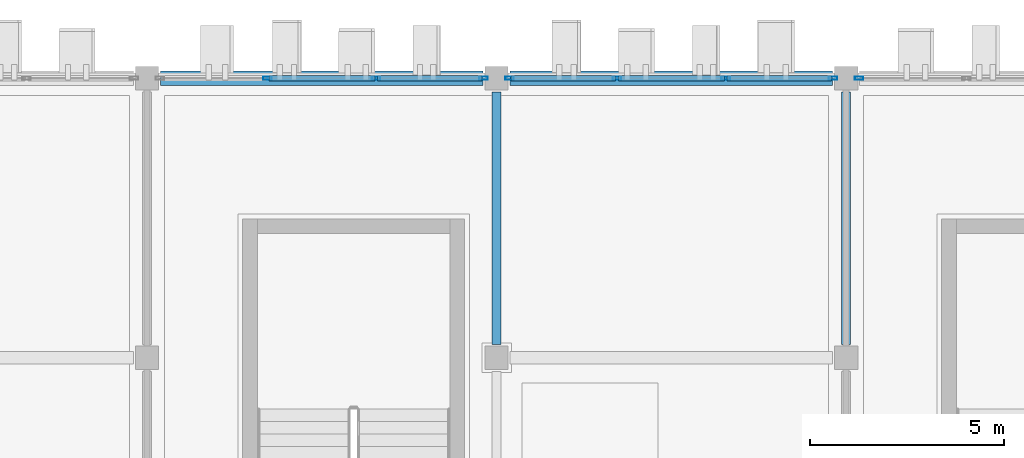
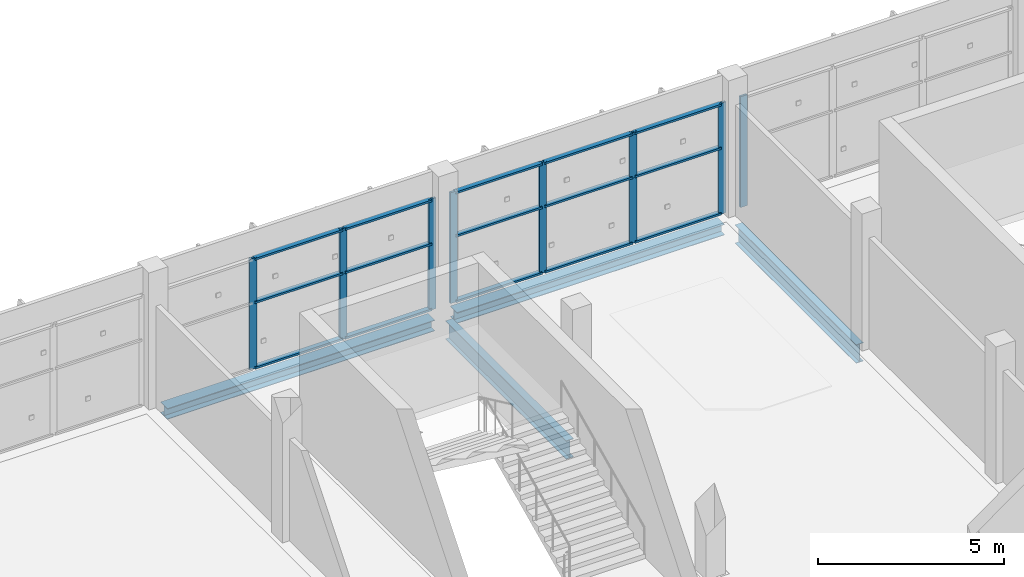
# One storey, part 68 of 124: 23 members, 4 beams, 3 elements without a shape of their own.
"""IFC4 building model written with IfcOpenShell, lengths in metres."""

from ifc_helpers import new_model, si_unit, direction, frame, origin, origin_2d, place, context, subcontext, project, spatial, hollow_rectangle, i_section, extrude, material, layer, layer_set, material_profile, profile_set, type_object, element, aggregate, save


model = new_model("IFC4")

# Units and contexts
model_context = context("Model", 3, precision=1e-05, world=origin(), true_north=direction((0.0, 1.0)))
body_context = subcontext(model_context, "Body", "Model", "MODEL_VIEW")
ifc_project = project(units=[si_unit("LENGTHUNIT", "METRE"), si_unit("AREAUNIT", "SQUARE_METRE"), si_unit("VOLUMEUNIT", "CUBIC_METRE"), si_unit("PLANEANGLEUNIT", "RADIAN"), si_unit("MASSUNIT", "GRAM", prefix="KILO")], contexts=[model_context])

# Site, building, storey
site_placement = place(None, origin())
site = spatial("IfcSite", under=ifc_project, at=site_placement, CompositionType="ELEMENT")
building_placement = place(site_placement, origin())
building = spatial("IfcBuilding", under=site, at=building_placement, Name="Celestram Park Convention Centre", CompositionType="ELEMENT")
storey_placement = place(building_placement, frame((0.0, 0.0, 15.300048828125)))
storey = spatial("IfcBuildingStorey", under=building, at=storey_placement, Name="L03", CompositionType="ELEMENT", Elevation=15.300048828125)

# Curtain wall, members
ifc_material_1 = material(Name="Anodised Aluminium Alloy 6063-T6", Category="aluminium")
ifc_layer = layer(ifc_material_1, 0.179931640625)
ifc_layer_set = layer_set([ifc_layer], Name="Anodised Aluminium Alloy 6063-T6")
curtain_wall_type = type_object("IfcCurtainWallType", Name="ARC-CW-840X364", PredefinedType="NOTDEFINED", material=ifc_layer_set)
curtain_wall_1_placement = place(storey_placement, origin())
curtain_wall_1 = element("IfcCurtainWall", 1, at=curtain_wall_1_placement, inside=storey, type_object=curtain_wall_type, Name="Unitised curtain wall CU-L03-206", PredefinedType="NOTDEFINED")
ifc_material_profile_1 = material_profile(ifc_material_1, hollow_rectangle(XDim=0.074951171875, YDim=0.219970703125, WallThickness=0.00390625, at=origin_2d()), Name="ALU75X220X4")
ifc_profile_set_1 = profile_set([ifc_material_profile_1], Name="Anodised Aluminium Alloy 6063-T6")
member_type_1 = type_object("IfcMemberType", Name="ARC-CWM-180", PredefinedType="MULLION", material=ifc_profile_set_1)
member_1_placement = place(storey_placement, frame((66.099365234375, 165.60009765625, 0.0), z_axis=(0.0, 0.0, 1.0), x_axis=(0.0, 1.0, 0.0)))
member_1 = element("IfcMember", 2, at=member_1_placement, type_object=member_type_1, Name="CW-84X36 mullion 2", PredefinedType="MULLION", context=body_context, shape_type="SweptSolid", body=[
    extrude(hollow_rectangle(XDim=0.074951171875, YDim=0.219970703125, WallThickness=0.00390625, at=origin_2d()), origin(), (0.0, 0.0, 1.0), 3.637939453125),
])
member_2_placement = place(storey_placement, frame((68.900634765625, 165.60009765625, 0.0), z_axis=(0.0, 0.0, 1.0), x_axis=(0.0, 1.0, 0.0)))
member_2 = element("IfcMember", 3, at=member_2_placement, type_object=member_type_1, Name="CW-84X36 mullion 3", PredefinedType="MULLION", context=body_context, shape_type="SweptSolid", body=[
    extrude(hollow_rectangle(XDim=0.074951171875, YDim=0.219970703125, WallThickness=0.00390625, at=origin_2d()), origin(), (0.0, 0.0, 1.0), 3.637939453125),
])
member_3_placement = place(storey_placement, frame((71.66455078125, 165.60009765625, 0.0), z_axis=(0.0, 0.0, 1.0), x_axis=(0.0, 1.0, 0.0)))
member_3 = element("IfcMember", 4, at=member_3_placement, type_object=member_type_1, Name="CW-84X36 mullion 4", PredefinedType="MULLION", context=body_context, shape_type="SweptSolid", body=[
    extrude(hollow_rectangle(XDim=0.074951171875, YDim=0.219970703125, WallThickness=0.00390625, at=origin_2d()), origin(), (0.0, 0.0, 1.0), 3.637939453125),
])

curtain_wall_2_placement = place(storey_placement, origin())
curtain_wall_2 = element("IfcCurtainWall", 5, at=curtain_wall_2_placement, inside=storey, type_object=curtain_wall_type, Name="Unitised curtain wall CU-L03-207", PredefinedType="NOTDEFINED")
member_4_placement = place(storey_placement, frame((72.33544921875, 165.60009765625, 0.0), z_axis=(0.0, 0.0, 1.0), x_axis=(0.0, 1.0, 0.0)))
member_4 = element("IfcMember", 6, at=member_4_placement, type_object=member_type_1, Name="CW-84X36 mullion 1", PredefinedType="MULLION", context=body_context, shape_type="SweptSolid", body=[
    extrude(hollow_rectangle(XDim=0.074951171875, YDim=0.219970703125, WallThickness=0.00390625, at=origin_2d()), origin(), (0.0, 0.0, 1.0), 3.637939453125),
])
member_5_placement = place(storey_placement, frame((75.099365234375, 165.60009765625, 0.0), z_axis=(0.0, 0.0, 1.0), x_axis=(0.0, 1.0, 0.0)))
member_5 = element("IfcMember", 7, at=member_5_placement, type_object=member_type_1, Name="CW-84X36 mullion 2", PredefinedType="MULLION", context=body_context, shape_type="SweptSolid", body=[
    extrude(hollow_rectangle(XDim=0.074951171875, YDim=0.219970703125, WallThickness=0.00390625, at=origin_2d()), origin(), (0.0, 0.0, 1.0), 3.637939453125),
])
member_6_placement = place(storey_placement, frame((77.900634765625, 165.60009765625, 0.0), z_axis=(0.0, 0.0, 1.0), x_axis=(0.0, 1.0, 0.0)))
member_6 = element("IfcMember", 8, at=member_6_placement, type_object=member_type_1, Name="CW-84X36 mullion 3", PredefinedType="MULLION", context=body_context, shape_type="SweptSolid", body=[
    extrude(hollow_rectangle(XDim=0.074951171875, YDim=0.219970703125, WallThickness=0.00390625, at=origin_2d()), origin(), (0.0, 0.0, 1.0), 3.637939453125),
])
member_7_placement = place(storey_placement, frame((80.66455078125, 165.60009765625, 0.0), z_axis=(0.0, 0.0, 1.0), x_axis=(0.0, 1.0, 0.0)))
member_7 = element("IfcMember", 9, at=member_7_placement, type_object=member_type_1, Name="CW-84X36 mullion 4", PredefinedType="MULLION", context=body_context, shape_type="SweptSolid", body=[
    extrude(hollow_rectangle(XDim=0.074951171875, YDim=0.219970703125, WallThickness=0.00390625, at=origin_2d()), origin(), (0.0, 0.0, 1.0), 3.637939453125),
])

# Curtain wall, member
curtain_wall_3_placement = place(storey_placement, origin())
curtain_wall_3 = element("IfcCurtainWall", 10, at=curtain_wall_3_placement, inside=storey, type_object=curtain_wall_type, Name="Unitised curtain wall CU-L03-208", PredefinedType="NOTDEFINED")
member_8_placement = place(storey_placement, frame((81.33544921875, 165.60009765625, 0.0), z_axis=(0.0, 0.0, 1.0), x_axis=(0.0, 1.0, 0.0)))
member_8 = element("IfcMember", 11, at=member_8_placement, type_object=member_type_1, Name="CW-84X36 mullion 1", PredefinedType="MULLION", context=body_context, shape_type="SweptSolid", body=[
    extrude(hollow_rectangle(XDim=0.074951171875, YDim=0.219970703125, WallThickness=0.00390625, at=origin_2d()), origin(), (0.0, 0.0, 1.0), 3.637939453125),
])
aggregate(curtain_wall_3, [member_8])

# Member
ifc_material_profile_2 = material_profile(ifc_material_1, hollow_rectangle(XDim=0.14990234375, YDim=0.06494140625, WallThickness=0.0029296875, at=origin_2d()), Name="ALU150X65X3")
ifc_profile_set_2 = profile_set([ifc_material_profile_2], Name="Anodised Aluminium Alloy 6063-T6")
member_type_2 = type_object("IfcMemberType", Name="ARC-CWT-150", PredefinedType="USERDEFINED", material=ifc_profile_set_2)
member_9_placement = place(storey_placement, frame((66.13671875, 165.60009765625, 0.032470703125), z_axis=(1.0, 0.0, 0.0), x_axis=(0.0, 1.0, 0.0)))
member_9 = element("IfcMember", 12, at=member_9_placement, type_object=member_type_2, Name="CW-84X36 transom 2.1", ObjectType="TRANSOM", PredefinedType="USERDEFINED", context=body_context, shape_type="SweptSolid", body=[
    extrude(hollow_rectangle(XDim=0.14990234375, YDim=0.06494140625, WallThickness=0.0029296875, at=origin_2d()), origin(), (0.0, 0.0, 1.0), 2.7265625),
])

member_10_placement = place(storey_placement, frame((66.13671875, 165.60009765625, 2.182861328125), z_axis=(1.0, 0.0, 0.0), x_axis=(0.0, 1.0, 0.0)))
member_10 = element("IfcMember", 13, at=member_10_placement, type_object=member_type_2, Name="CW-84X36 transom 2.2", ObjectType="TRANSOM", PredefinedType="USERDEFINED", context=body_context, shape_type="SweptSolid", body=[
    extrude(hollow_rectangle(XDim=0.14990234375, YDim=0.06494140625, WallThickness=0.0029296875, at=origin_2d()), origin(), (0.0, 0.0, 1.0), 2.7265625),
])

member_11_placement = place(storey_placement, frame((66.13671875, 165.60009765625, 3.60546875), z_axis=(1.0, 0.0, 0.0), x_axis=(0.0, 1.0, 0.0)))
member_11 = element("IfcMember", 14, at=member_11_placement, type_object=member_type_2, Name="CW-84X36 transom 2.3", ObjectType="TRANSOM", PredefinedType="USERDEFINED", context=body_context, shape_type="SweptSolid", body=[
    extrude(hollow_rectangle(XDim=0.14990234375, YDim=0.06494140625, WallThickness=0.0029296875, at=origin_2d()), origin(), (0.0, 0.0, 1.0), 2.7265625),
])

member_12_placement = place(storey_placement, frame((68.938232421875, 165.60009765625, 0.032470703125), z_axis=(1.0, 0.0, 0.0), x_axis=(0.0, 1.0, 0.0)))
member_12 = element("IfcMember", 15, at=member_12_placement, type_object=member_type_2, Name="CW-84X36 transom 3.1", ObjectType="TRANSOM", PredefinedType="USERDEFINED", context=body_context, shape_type="SweptSolid", body=[
    extrude(hollow_rectangle(XDim=0.14990234375, YDim=0.06494140625, WallThickness=0.0029296875, at=origin_2d()), origin(), (0.0, 0.0, 1.0), 2.688720703125),
])

member_13_placement = place(storey_placement, frame((68.938232421875, 165.60009765625, 2.182861328125), z_axis=(1.0, 0.0, 0.0), x_axis=(0.0, 1.0, 0.0)))
member_13 = element("IfcMember", 16, at=member_13_placement, type_object=member_type_2, Name="CW-84X36 transom 3.2", ObjectType="TRANSOM", PredefinedType="USERDEFINED", context=body_context, shape_type="SweptSolid", body=[
    extrude(hollow_rectangle(XDim=0.14990234375, YDim=0.06494140625, WallThickness=0.0029296875, at=origin_2d()), origin(), (0.0, 0.0, 1.0), 2.688720703125),
])

member_14_placement = place(storey_placement, frame((68.938232421875, 165.60009765625, 3.60546875), z_axis=(1.0, 0.0, 0.0), x_axis=(0.0, 1.0, 0.0)))
member_14 = element("IfcMember", 17, at=member_14_placement, type_object=member_type_2, Name="CW-84X36 transom 3.3", ObjectType="TRANSOM", PredefinedType="USERDEFINED", context=body_context, shape_type="SweptSolid", body=[
    extrude(hollow_rectangle(XDim=0.14990234375, YDim=0.06494140625, WallThickness=0.0029296875, at=origin_2d()), origin(), (0.0, 0.0, 1.0), 2.688720703125),
])

aggregate(curtain_wall_1, [member_1, member_2, member_3, member_9, member_10, member_11, member_12, member_13, member_14])

member_15_placement = place(storey_placement, frame((72.373046875, 165.60009765625, 0.032470703125), z_axis=(1.0, 0.0, 0.0), x_axis=(0.0, 1.0, 0.0)))
member_15 = element("IfcMember", 18, at=member_15_placement, type_object=member_type_2, Name="CW-84X36 transom 1.1", ObjectType="TRANSOM", PredefinedType="USERDEFINED", context=body_context, shape_type="SweptSolid", body=[
    extrude(hollow_rectangle(XDim=0.14990234375, YDim=0.06494140625, WallThickness=0.0029296875, at=origin_2d()), origin(), (0.0, 0.0, 1.0), 2.688720703125),
])

member_16_placement = place(storey_placement, frame((72.373046875, 165.60009765625, 2.182861328125), z_axis=(1.0, 0.0, 0.0), x_axis=(0.0, 1.0, 0.0)))
member_16 = element("IfcMember", 19, at=member_16_placement, type_object=member_type_2, Name="CW-84X36 transom 1.2", ObjectType="TRANSOM", PredefinedType="USERDEFINED", context=body_context, shape_type="SweptSolid", body=[
    extrude(hollow_rectangle(XDim=0.14990234375, YDim=0.06494140625, WallThickness=0.0029296875, at=origin_2d()), origin(), (0.0, 0.0, 1.0), 2.688720703125),
])

member_17_placement = place(storey_placement, frame((72.373046875, 165.60009765625, 3.60546875), z_axis=(1.0, 0.0, 0.0), x_axis=(0.0, 1.0, 0.0)))
member_17 = element("IfcMember", 20, at=member_17_placement, type_object=member_type_2, Name="CW-84X36 transom 1.3", ObjectType="TRANSOM", PredefinedType="USERDEFINED", context=body_context, shape_type="SweptSolid", body=[
    extrude(hollow_rectangle(XDim=0.14990234375, YDim=0.06494140625, WallThickness=0.0029296875, at=origin_2d()), origin(), (0.0, 0.0, 1.0), 2.688720703125),
])

member_18_placement = place(storey_placement, frame((75.13671875, 165.60009765625, 0.032470703125), z_axis=(1.0, 0.0, 0.0), x_axis=(0.0, 1.0, 0.0)))
member_18 = element("IfcMember", 21, at=member_18_placement, type_object=member_type_2, Name="CW-84X36 transom 2.1", ObjectType="TRANSOM", PredefinedType="USERDEFINED", context=body_context, shape_type="SweptSolid", body=[
    extrude(hollow_rectangle(XDim=0.14990234375, YDim=0.06494140625, WallThickness=0.0029296875, at=origin_2d()), origin(), (0.0, 0.0, 1.0), 2.7265625),
])

member_19_placement = place(storey_placement, frame((75.13671875, 165.60009765625, 2.182861328125), z_axis=(1.0, 0.0, 0.0), x_axis=(0.0, 1.0, 0.0)))
member_19 = element("IfcMember", 22, at=member_19_placement, type_object=member_type_2, Name="CW-84X36 transom 2.2", ObjectType="TRANSOM", PredefinedType="USERDEFINED", context=body_context, shape_type="SweptSolid", body=[
    extrude(hollow_rectangle(XDim=0.14990234375, YDim=0.06494140625, WallThickness=0.0029296875, at=origin_2d()), origin(), (0.0, 0.0, 1.0), 2.7265625),
])

member_20_placement = place(storey_placement, frame((75.13671875, 165.60009765625, 3.60546875), z_axis=(1.0, 0.0, 0.0), x_axis=(0.0, 1.0, 0.0)))
member_20 = element("IfcMember", 23, at=member_20_placement, type_object=member_type_2, Name="CW-84X36 transom 2.3", ObjectType="TRANSOM", PredefinedType="USERDEFINED", context=body_context, shape_type="SweptSolid", body=[
    extrude(hollow_rectangle(XDim=0.14990234375, YDim=0.06494140625, WallThickness=0.0029296875, at=origin_2d()), origin(), (0.0, 0.0, 1.0), 2.7265625),
])

member_21_placement = place(storey_placement, frame((77.938232421875, 165.60009765625, 0.032470703125), z_axis=(1.0, 0.0, 0.0), x_axis=(0.0, 1.0, 0.0)))
member_21 = element("IfcMember", 24, at=member_21_placement, type_object=member_type_2, Name="CW-84X36 transom 3.1", ObjectType="TRANSOM", PredefinedType="USERDEFINED", context=body_context, shape_type="SweptSolid", body=[
    extrude(hollow_rectangle(XDim=0.14990234375, YDim=0.06494140625, WallThickness=0.0029296875, at=origin_2d()), origin(), (0.0, 0.0, 1.0), 2.688720703125),
])

member_22_placement = place(storey_placement, frame((77.938232421875, 165.60009765625, 2.182861328125), z_axis=(1.0, 0.0, 0.0), x_axis=(0.0, 1.0, 0.0)))
member_22 = element("IfcMember", 25, at=member_22_placement, type_object=member_type_2, Name="CW-84X36 transom 3.2", ObjectType="TRANSOM", PredefinedType="USERDEFINED", context=body_context, shape_type="SweptSolid", body=[
    extrude(hollow_rectangle(XDim=0.14990234375, YDim=0.06494140625, WallThickness=0.0029296875, at=origin_2d()), origin(), (0.0, 0.0, 1.0), 2.688720703125),
])

member_23_placement = place(storey_placement, frame((77.938232421875, 165.60009765625, 3.60546875), z_axis=(1.0, 0.0, 0.0), x_axis=(0.0, 1.0, 0.0)))
member_23 = element("IfcMember", 26, at=member_23_placement, type_object=member_type_2, Name="CW-84X36 transom 3.3", ObjectType="TRANSOM", PredefinedType="USERDEFINED", context=body_context, shape_type="SweptSolid", body=[
    extrude(hollow_rectangle(XDim=0.14990234375, YDim=0.06494140625, WallThickness=0.0029296875, at=origin_2d()), origin(), (0.0, 0.0, 1.0), 2.688720703125),
])

aggregate(curtain_wall_2, [member_4, member_5, member_6, member_7, member_15, member_16, member_17, member_18, member_19, member_20, member_21, member_22, member_23])

# Beams
ifc_material_2 = material(Name="Steel ASTM A992 Grade 50", Category="steel")
ifc_material_profile_3 = material_profile(ifc_material_2, i_section(OverallWidth=0.22900390625, OverallDepth=0.612060546875, WebThickness=0.011962890625, FlangeThickness=0.01953125, at=origin_2d()), Name="W24X84")
ifc_profile_set_3 = profile_set([ifc_material_profile_3], Name="Steel ASTM A992 Grade 50")
beam_type_1 = type_object("IfcBeamType", Name="STR-BM-W24X84", PredefinedType="BEAM", material=ifc_profile_set_3)
for number, where, z_axis, x_axis, name in (
    (27, (72.0, 158.748046875, -0.55615234375), (0.0, 1.0, 0.0), (-1.0, 0.0, 0.0), "Primary Y-girder BG-L03-0069"),
    (28, (81.0, 158.748046875, -0.55615234375), (0.0, 1.0, 0.0), (-1.0, 0.0, 0.0), "Primary Y-girder BG-L03-0084"),
):
    element("IfcBeam", number, at=place(storey_placement, frame(where, z_axis=z_axis, x_axis=x_axis)), inside=storey, type_object=beam_type_1, Name=name, PredefinedType="BEAM", context=body_context, shape_type="SweptSolid", body=[
        extrude(i_section(OverallWidth=0.22900390625, OverallDepth=0.612060546875, WebThickness=0.011962890625, FlangeThickness=0.01953125, at=origin_2d()), origin(), (0.0, 0.0, 1.0), 6.50390625),
    ])
ifc_material_profile_4 = material_profile(ifc_material_2, i_section(OverallWidth=0.367919921875, OverallDepth=0.35595703125, WebThickness=0.01123046875, FlangeThickness=0.01806640625, at=origin_2d()), Name="W14X90")
ifc_profile_set_4 = profile_set([ifc_material_profile_4], Name="Steel ASTM A992 Grade 50")
beam_type_2 = type_object("IfcBeamType", Name="STR-SPN-W14X90", PredefinedType="SPANDREL", material=ifc_profile_set_4)
for number, where, z_axis, x_axis, name in (
    (29, (63.347900390625, 165.60009765625, -0.427978515625), (1.0, 0.0, 0.0), (0.0, 1.0, 0.0), "Primary X-girder BG-L03-0056"),
    (30, (72.347900390625, 165.60009765625, -0.427978515625), (1.0, 0.0, 0.0), (0.0, 1.0, 0.0), "Primary X-girder BG-L03-0070"),
):
    element("IfcBeam", number, at=place(storey_placement, frame(where, z_axis=z_axis, x_axis=x_axis)), inside=storey, type_object=beam_type_2, Name=name, PredefinedType="SPANDREL", context=body_context, shape_type="SweptSolid", body=[
        extrude(i_section(OverallWidth=0.367919921875, OverallDepth=0.35595703125, WebThickness=0.01123046875, FlangeThickness=0.01806640625, at=origin_2d()), origin(), (0.0, 0.0, 1.0), 8.30419921875),
    ])

save(model, "model.ifc")
